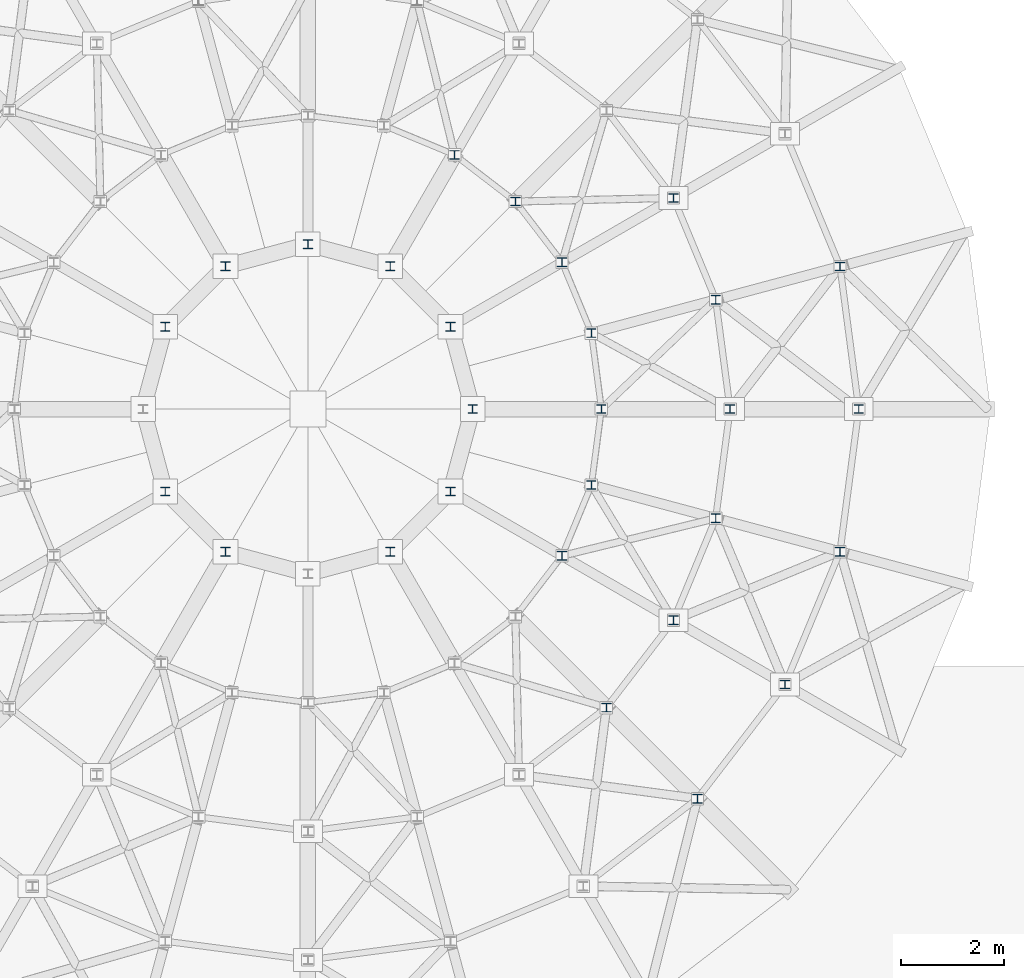
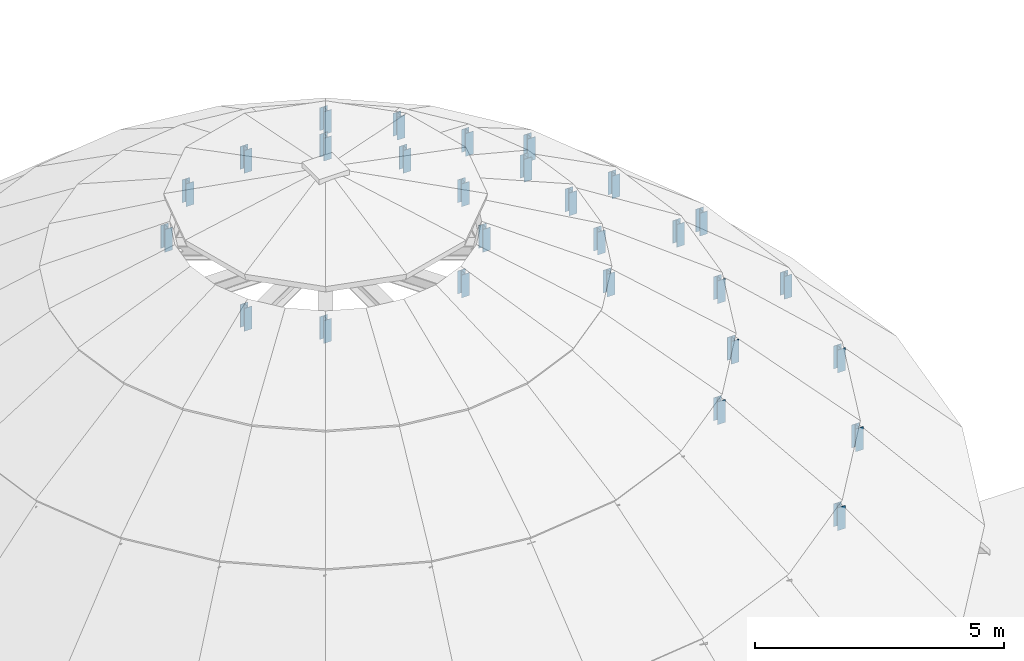
# One storey, part 21 of 31: 28 members.
"""IFC4 building model written with IfcOpenShell, lengths in metres."""

from ifc_helpers import new_model, si_unit, direction, frame, origin, origin_2d, place, context, subcontext, project, spatial, i_section, extrude, material, material_profile, profile_set, type_object, element, save


model = new_model("IFC4")

# Units and contexts
model_context = context("Model", 3, precision=1e-05, world=origin(), true_north=direction((0.0, 1.0)))
body_context = subcontext(model_context, "Body", "Model", "MODEL_VIEW")
ifc_project = project(units=[si_unit("LENGTHUNIT", "METRE"), si_unit("AREAUNIT", "SQUARE_METRE"), si_unit("VOLUMEUNIT", "CUBIC_METRE"), si_unit("PLANEANGLEUNIT", "RADIAN"), si_unit("MASSUNIT", "GRAM", prefix="KILO")], contexts=[model_context])

# Site, building, storey
site_placement = place(None, origin())
site = spatial("IfcSite", under=ifc_project, at=site_placement, CompositionType="ELEMENT")
building_placement = place(site_placement, origin())
building = spatial("IfcBuilding", under=site, at=building_placement, Name="Clarverna Civic Hall", CompositionType="ELEMENT")
storey_placement = place(building_placement, frame((0.0, 0.0, 31.199951171875)))
storey = spatial("IfcBuildingStorey", under=building, at=storey_placement, Name="RF", CompositionType="ELEMENT", Elevation=31.199951171875)

# Members
ifc_material = material(Name="Steel S355", Category="steel")
ifc_material_profile = material_profile(ifc_material, i_section(OverallWidth=0.179931640625, OverallDepth=0.1708984375, WebThickness=0.006103515625, FlangeThickness=0.009521484375, FilletRadius=0.014892578125, at=origin_2d()), Name="HEA 180")
ifc_profile_set = profile_set([ifc_material_profile], Name="Steel S355")
member_type = type_object("IfcMemberType", Name="CH-04", PredefinedType="CHORD", material=ifc_profile_set)
for number, where, z_axis, x_axis, name in (
    (1, (93.5, 59.0, -8.099853515625), (0.0, 0.0, 1.0), (1.0, 0.0, 0.0), "CH-04-001"),
    (2, (93.135498046875, 61.769287109375, -8.099853515625), (0.0, 0.0, 1.0), (1.0, 0.0, 0.0), "CH-04-002"),
    (3, (90.365966796875, 51.43408203125, -8.099853515625), (0.0, 0.0, 1.0), (1.0, 0.0, 0.0), "CH-04-022"),
    (4, (92.06640625, 53.64990234375, -8.099853515625), (0.0, 0.0, 1.0), (1.0, 0.0, 0.0), "CH-04-023"),
    (5, (93.135498046875, 56.230712890625, -8.099853515625), (0.0, 0.0, 1.0), (1.0, 0.0, 0.0), "CH-04-024"),
):
    element("IfcMember", number, at=place(storey_placement, frame(where, z_axis=z_axis, x_axis=x_axis)), inside=storey, type_object=member_type, Name=name, PredefinedType="CHORD", context=body_context, shape_type="SweptSolid", body=[
        extrude(i_section(OverallWidth=0.179931640625, OverallDepth=0.1708984375, WebThickness=0.006103515625, FlangeThickness=0.009521484375, FilletRadius=0.014892578125, at=origin_2d()), origin(), (0.0, 0.0, 1.0), 0.559814453125),
    ])
for number, where, z_axis, x_axis, name in (
    (6, (91.0, 59.0, -5.949951171875), (0.0, 0.0, 1.0), (1.0, 0.0, 0.0), "CH-04-025"),
    (7, (90.720703125, 61.122314453125, -5.949951171875), (0.0, 0.0, 1.0), (1.0, 0.0, 0.0), "CH-04-026"),
    (8, (89.9013671875, 63.10009765625, -5.949951171875), (0.0, 0.0, 1.0), (1.0, 0.0, 0.0), "CH-04-027"),
    (9, (88.598388671875, 53.20166015625, -5.949951171875), (0.0, 0.0, 1.0), (1.0, 0.0, 0.0), "CH-04-046"),
    (10, (89.9013671875, 54.89990234375, -5.949951171875), (0.0, 0.0, 1.0), (1.0, 0.0, 0.0), "CH-04-047"),
    (11, (90.720703125, 56.877685546875, -5.949951171875), (0.0, 0.0, 1.0), (1.0, 0.0, 0.0), "CH-04-048"),
    (12, (88.5, 59.0, -4.300048828125), (0.0, 0.0, 1.0), (1.0, 0.0, 0.0), "CH-04-049"),
    (13, (88.305908203125, 60.475341796875, -4.300048828125), (0.0, 0.0, 1.0), (1.0, 0.0, 0.0), "CH-04-050"),
    (14, (87.736328125, 61.85009765625, -4.300048828125), (0.0, 0.0, 1.0), (1.0, 0.0, 0.0), "CH-04-051"),
    (15, (86.83056640625, 63.030517578125, -4.300048828125), (0.0, 0.0, 1.0), (1.0, 0.0, 0.0), "CH-04-052"),
    (16, (85.64990234375, 63.936279296875, -4.300048828125), (0.0, 0.0, 1.0), (1.0, 0.0, 0.0), "CH-04-053"),
    (17, (87.736328125, 56.14990234375, -4.300048828125), (0.0, 0.0, 1.0), (1.0, 0.0, 0.0), "CH-04-071"),
    (18, (88.305908203125, 57.524658203125, -4.300048828125), (0.0, 0.0, 1.0), (1.0, 0.0, 0.0), "CH-04-072"),
    (19, (86.0, 59.0, -3.199951171875), (0.0, 0.0, 1.0), (1.0, 0.0, 0.0), "CH-04-073"),
    (20, (85.5712890625, 60.60009765625, -3.199951171875), (0.0, 0.0, 1.0), (1.0, 0.0, 0.0), "CH-04-074"),
    (21, (84.39990234375, 61.771240234375, -3.199951171875), (0.0, 0.0, 1.0), (1.0, 0.0, 0.0), "CH-04-075"),
    (22, (82.800048828125, 62.199951171875, -3.199951171875), (0.0, 0.0, 1.0), (1.0, 0.0, 0.0), "CH-04-076"),
    (23, (81.199951171875, 61.771240234375, -3.199951171875), (0.0, 0.0, 1.0), (1.0, 0.0, 0.0), "CH-04-077"),
    (24, (80.02880859375, 60.60009765625, -3.199951171875), (0.0, 0.0, 1.0), (1.0, 0.0, 0.0), "CH-04-078"),
    (25, (80.02880859375, 57.39990234375, -3.199951171875), (0.0, 0.0, 1.0), (1.0, 0.0, 0.0), "CH-04-080"),
    (26, (81.199951171875, 56.228759765625, -3.199951171875), (0.0, 0.0, 1.0), (1.0, 0.0, 0.0), "CH-04-081"),
    (27, (84.39990234375, 56.228759765625, -3.199951171875), (0.0, 0.0, 1.0), (1.0, 0.0, 0.0), "CH-04-083"),
    (28, (85.5712890625, 57.39990234375, -3.199951171875), (0.0, 0.0, 1.0), (1.0, 0.0, 0.0), "CH-04-084"),
):
    element("IfcMember", number, at=place(storey_placement, frame(where, z_axis=z_axis, x_axis=x_axis)), inside=storey, type_object=member_type, Name=name, PredefinedType="CHORD", context=body_context, shape_type="SweptSolid", body=[
        extrude(i_section(OverallWidth=0.179931640625, OverallDepth=0.1708984375, WebThickness=0.006103515625, FlangeThickness=0.009521484375, FilletRadius=0.014892578125, at=origin_2d()), origin(), (0.0, 0.0, 1.0), 0.56005859375),
    ])

save(model, "model.ifc")
